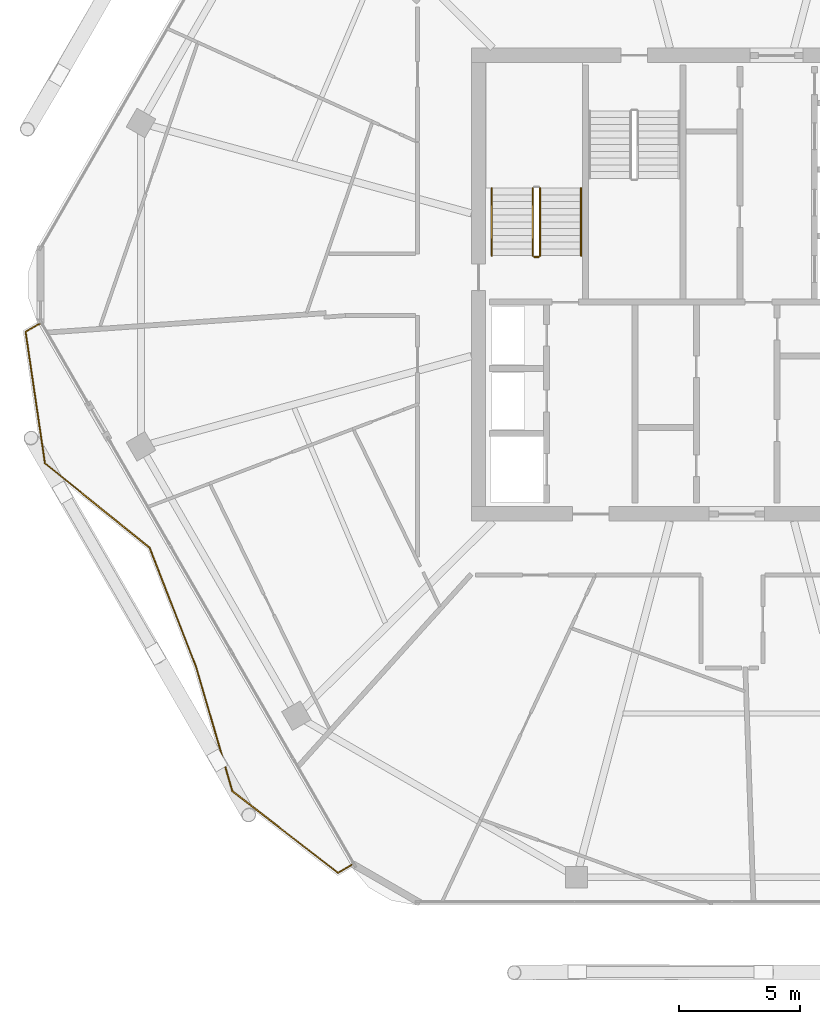
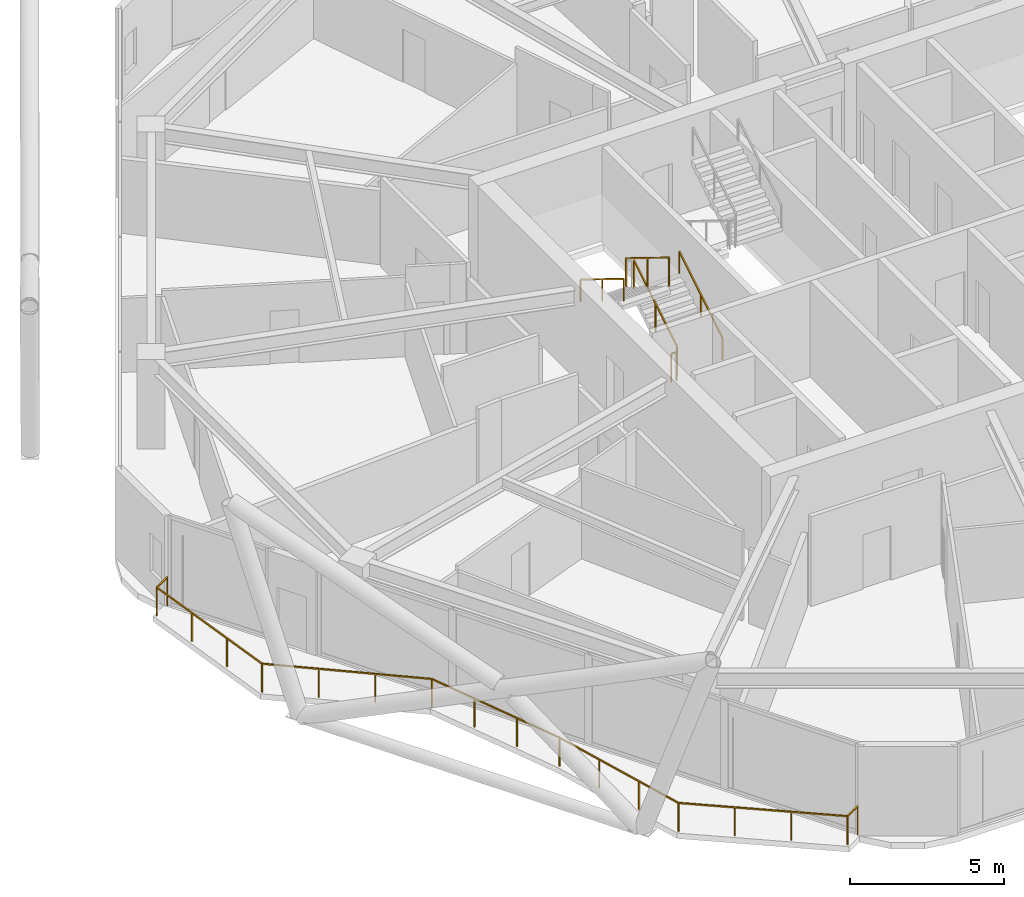
# One storey, part 25 of 27: 6 railings.
"""IFC4 building model written with IfcOpenShell, lengths in metres."""

from ifc_helpers import new_model, si_unit, direction, frame, origin, origin_2d, place, context, subcontext, project, spatial, rectangle, extrude, material, type_object, element, save


model = new_model("IFC4")

# Units and contexts
model_context = context("Model", 3, precision=1e-05, world=origin(), true_north=direction((0.0, 1.0)))
body_context = subcontext(model_context, "Body", "Model", "MODEL_VIEW")
ifc_project = project(units=[si_unit("LENGTHUNIT", "METRE"), si_unit("AREAUNIT", "SQUARE_METRE"), si_unit("VOLUMEUNIT", "CUBIC_METRE"), si_unit("PLANEANGLEUNIT", "RADIAN"), si_unit("MASSUNIT", "GRAM", prefix="KILO")], contexts=[model_context])

# Site, building, storey
site_placement = place(None, origin())
site = spatial("IfcSite", under=ifc_project, at=site_placement, CompositionType="ELEMENT")
building_placement = place(site_placement, origin())
building = spatial("IfcBuilding", under=site, at=building_placement, Name="Zuhravey Tower", CompositionType="ELEMENT")
storey_placement = place(building_placement, frame((0.0, 0.0, 238.800048828125)))
storey = spatial("IfcBuildingStorey", under=building, at=storey_placement, Name="L60", CompositionType="ELEMENT", Elevation=238.800048828125)

# Railings
ifc_material_1 = material(Name="Stainless steel 316 and laminated glass", Category="steel")
railing_type_1 = type_object("IfcRailingType", Name="Balcony & Terrace Guardrail 1150", PredefinedType="BALUSTRADE", material=ifc_material_1)
railing_1_placement = place(storey_placement, frame((20.25830078125, 7.968017578125, 0.0)))
element("IfcRailing", 1, at=railing_1_placement, inside=storey, type_object=railing_type_1, Name="L60 Face 4 Wave Balcony Guardrail GR1", PredefinedType="BALUSTRADE", context=body_context, shape_type="SweptSolid", body=[
    extrude(rectangle(XDim=0.048095703125, YDim=0.048095703125, at=origin_2d()), frame((-0.001708984375, -0.0009765625, 1.1259765625), z_axis=(-0.865955892764, -0.500120377296, 0.0), x_axis=(0.500120377296, -0.865955892764, 0.0)), (0.0, 0.0, 1.0), 0.668701171875),
    extrude(rectangle(XDim=0.048095703125, YDim=0.048095703125, at=origin_2d()), frame((-0.583984375, -0.335205078125, 1.1259765625), z_axis=(-0.79049778683, 0.61246489615, 0.0), x_axis=(-0.61246489615, -0.79049778683, 0.0)), (0.0, 0.0, 1.0), 5.531982421875),
    extrude(rectangle(XDim=0.048095703125, YDim=0.048095703125, at=origin_2d()), frame((-4.959228515625, 3.05615234375, 1.1259765625), z_axis=(-0.280257980797, 0.959924717985, 0.0), x_axis=(-0.959924717985, -0.280257980797, 0.0)), (0.0, 0.0, 1.0), 5.337646484375),
    extrude(rectangle(XDim=0.048095703125, YDim=0.048095703125, at=origin_2d()), frame((-6.45654296875, 8.183837890625, 1.1259765625), z_axis=(-0.362652638485, 0.931924387383, 0.0), x_axis=(-0.931924387383, -0.362652638485, 0.0)), (0.0, 0.0, 1.0), 5.304931640625),
    extrude(rectangle(XDim=0.048095703125, YDim=0.048095703125, at=origin_2d()), frame((-8.382568359375, 13.130615234375, 1.1259765625), z_axis=(-0.778090083229, 0.628152706259, 0.0), x_axis=(-0.628152706259, -0.778090083229, 0.0)), (0.0, 0.0, 1.0), 5.574462890625),
    extrude(rectangle(XDim=0.048095703125, YDim=0.048095703125, at=origin_2d()), frame((-12.721923828125, 16.635498046875, 1.1259765625), z_axis=(-0.145654875752, 0.989335462404, 0.0), x_axis=(-0.989335462404, -0.145654875752, 0.0)), (0.0, 0.0, 1.0), 5.50048828125),
    extrude(rectangle(XDim=0.048095703125, YDim=0.048095703125, at=origin_2d()), frame((-13.521728515625, 22.080322265625, 1.1259765625), z_axis=(0.866088799389, 0.499890179513, 0.0), x_axis=(-0.499890179513, 0.866088799389, 0.0)), (0.0, 0.0, 1.0), 0.66796875),
    extrude(rectangle(XDim=0.0419921875, YDim=0.0419921875, at=origin_2d()), origin(), (0.0, 0.0, 1.0), 1.099853515625),
    extrude(rectangle(XDim=0.0419921875, YDim=0.0419921875, at=origin_2d()), frame((-0.58251953125, -0.33642578125, 0.0)), (0.0, 0.0, 1.0), 1.099853515625),
    extrude(rectangle(XDim=0.0419921875, YDim=0.0419921875, at=origin_2d()), frame((-2.041259765625, 0.793701171875, 0.0)), (0.0, 0.0, 1.0), 1.099853515625),
    extrude(rectangle(XDim=0.0419921875, YDim=0.0419921875, at=origin_2d()), frame((-3.5, 1.924072265625, 0.0)), (0.0, 0.0, 1.0), 1.099853515625),
    extrude(rectangle(XDim=0.0419921875, YDim=0.0419921875, at=origin_2d()), frame((-4.958740234375, 3.05419921875, 0.0)), (0.0, 0.0, 1.0), 1.099853515625),
    extrude(rectangle(XDim=0.0419921875, YDim=0.0419921875, at=origin_2d()), frame((-5.457763671875, 4.763427734375, 0.0)), (0.0, 0.0, 1.0), 1.099853515625),
    extrude(rectangle(XDim=0.0419921875, YDim=0.0419921875, at=origin_2d()), frame((-5.956787109375, 6.47265625, 0.0)), (0.0, 0.0, 1.0), 1.099853515625),
    extrude(rectangle(XDim=0.0419921875, YDim=0.0419921875, at=origin_2d()), frame((-6.455810546875, 8.181884765625, 0.0)), (0.0, 0.0, 1.0), 1.099853515625),
    extrude(rectangle(XDim=0.0419921875, YDim=0.0419921875, at=origin_2d()), frame((-7.09765625, 9.8310546875, 0.0)), (0.0, 0.0, 1.0), 1.099853515625),
    extrude(rectangle(XDim=0.0419921875, YDim=0.0419921875, at=origin_2d()), frame((-7.7392578125, 11.480224609375, 0.0)), (0.0, 0.0, 1.0), 1.099853515625),
    extrude(rectangle(XDim=0.0419921875, YDim=0.0419921875, at=origin_2d()), frame((-8.381103515625, 13.12939453125, 0.0)), (0.0, 0.0, 1.0), 1.099853515625),
    extrude(rectangle(XDim=0.0419921875, YDim=0.0419921875, at=origin_2d()), frame((-9.827880859375, 14.29736328125, 0.0)), (0.0, 0.0, 1.0), 1.099853515625),
    extrude(rectangle(XDim=0.0419921875, YDim=0.0419921875, at=origin_2d()), frame((-11.27490234375, 15.465576171875, 0.0)), (0.0, 0.0, 1.0), 1.099853515625),
    extrude(rectangle(XDim=0.0419921875, YDim=0.0419921875, at=origin_2d()), frame((-12.7216796875, 16.633544921875, 0.0)), (0.0, 0.0, 1.0), 1.099853515625),
    extrude(rectangle(XDim=0.0419921875, YDim=0.0419921875, at=origin_2d()), frame((-12.989013671875, 18.44873046875, 0.0)), (0.0, 0.0, 1.0), 1.099853515625),
    extrude(rectangle(XDim=0.0419921875, YDim=0.0419921875, at=origin_2d()), frame((-13.256103515625, 20.26416015625, 0.0)), (0.0, 0.0, 1.0), 1.099853515625),
    extrude(rectangle(XDim=0.0419921875, YDim=0.0419921875, at=origin_2d()), frame((-13.5234375, 22.079345703125, 0.0)), (0.0, 0.0, 1.0), 1.099853515625),
    extrude(rectangle(XDim=0.0419921875, YDim=0.0419921875, at=origin_2d()), frame((-12.94140625, 22.415283203125, 0.0)), (0.0, 0.0, 1.0), 1.099853515625),
])
ifc_material_2 = material(Name="Brushed stainless steel", Category="steel")
railing_type_2 = type_object("IfcRailingType", Name="Stair Wall Handrail 900", PredefinedType="HANDRAIL", material=ifc_material_2)
railing_2_placement = place(storey_placement, frame((29.75, 33.199951171875, 0.172607421875)))
element("IfcRailing", 2, at=railing_2_placement, inside=storey, type_object=railing_type_2, Name="L60 ST1 stair handrail 1", PredefinedType="HANDRAIL", context=body_context, shape_type="SweptSolid", body=[
    extrude(rectangle(XDim=0.048095703125, YDim=0.048095703125, at=origin_2d()), frame((0.0, 0.001708984375, 0.876953125), z_axis=(0.0, 0.851089632645, 0.525020415988), x_axis=(-1.0, 0.0, 0.0)), (0.0, 0.0, 1.0), 3.285888671875),
    extrude(rectangle(XDim=0.0419921875, YDim=0.0419921875, at=origin_2d()), origin(), (0.0, 0.0, 1.0), 0.849853515625),
    extrude(rectangle(XDim=0.0419921875, YDim=0.0419921875, at=origin_2d()), frame((0.0, 1.39990234375, 0.86376953125)), (0.0, 0.0, 1.0), 0.849853515625),
    extrude(rectangle(XDim=0.0419921875, YDim=0.0419921875, at=origin_2d()), frame((0.0, 2.800048828125, 1.727294921875)), (0.0, 0.0, 1.0), 0.849853515625),
])
railing_3_placement = place(storey_placement, frame((26.050048828125, 36.0, 2.07275390625)))
element("IfcRailing", 3, at=railing_3_placement, inside=storey, type_object=railing_type_2, Name="L60 ST1 stair handrail 2", PredefinedType="HANDRAIL", context=body_context, shape_type="SweptSolid", body=[
    extrude(rectangle(XDim=0.048095703125, YDim=0.048095703125, at=origin_2d()), frame((0.0, -0.001708984375, 0.876953125), z_axis=(0.0, -0.851089632645, 0.525020415988), x_axis=(1.0, 0.0, 0.0)), (0.0, 0.0, 1.0), 3.285888671875),
    extrude(rectangle(XDim=0.0419921875, YDim=0.0419921875, at=origin_2d()), origin(), (0.0, 0.0, 1.0), 0.849853515625),
    extrude(rectangle(XDim=0.0419921875, YDim=0.0419921875, at=origin_2d()), frame((0.0, -1.39990234375, 0.86376953125)), (0.0, 0.0, 1.0), 0.849853515625),
    extrude(rectangle(XDim=0.0419921875, YDim=0.0419921875, at=origin_2d()), frame((0.0, -2.800048828125, 1.727294921875)), (0.0, 0.0, 1.0), 0.849853515625),
])
ifc_material_3 = material(Name="Painted tubular steel", Category="steel")
railing_type_3 = type_object("IfcRailingType", Name="Stair Well Guardrail 1150", PredefinedType="GUARDRAIL", material=ifc_material_3)
railing_4_placement = place(storey_placement, frame((28.050048828125, 33.199951171875, 0.172607421875)))
element("IfcRailing", 4, at=railing_4_placement, inside=storey, type_object=railing_type_3, Name="L60 ST1 stair guard 1", PredefinedType="GUARDRAIL", context=body_context, shape_type="SweptSolid", body=[
    extrude(rectangle(XDim=0.048095703125, YDim=0.048095703125, at=origin_2d()), frame((0.0, 0.001708984375, 1.126953125), z_axis=(0.0, 0.851089632645, 0.525020415988), x_axis=(-1.0, 0.0, 0.0)), (0.0, 0.0, 1.0), 3.285888671875),
    extrude(rectangle(XDim=0.0419921875, YDim=0.0419921875, at=origin_2d()), origin(), (0.0, 0.0, 1.0), 1.099853515625),
    extrude(rectangle(XDim=0.0419921875, YDim=0.0419921875, at=origin_2d()), frame((0.0, 1.39990234375, 0.86376953125)), (0.0, 0.0, 1.0), 1.099853515625),
    extrude(rectangle(XDim=0.0419921875, YDim=0.0419921875, at=origin_2d()), frame((0.0, 2.800048828125, 1.727294921875)), (0.0, 0.0, 1.0), 1.099853515625),
])
railing_5_placement = place(storey_placement, frame((27.75, 36.0, 2.07275390625)))
element("IfcRailing", 5, at=railing_5_placement, inside=storey, type_object=railing_type_3, Name="L60 ST1 stair guard 3", PredefinedType="GUARDRAIL", context=body_context, shape_type="SweptSolid", body=[
    extrude(rectangle(XDim=0.048095703125, YDim=0.048095703125, at=origin_2d()), frame((0.0, -0.001708984375, 1.126953125), z_axis=(0.0, -0.851089632645, 0.525020415988), x_axis=(1.0, 0.0, 0.0)), (0.0, 0.0, 1.0), 3.285888671875),
    extrude(rectangle(XDim=0.0419921875, YDim=0.0419921875, at=origin_2d()), origin(), (0.0, 0.0, 1.0), 1.099853515625),
    extrude(rectangle(XDim=0.0419921875, YDim=0.0419921875, at=origin_2d()), frame((0.0, -1.39990234375, 0.86376953125)), (0.0, 0.0, 1.0), 1.099853515625),
    extrude(rectangle(XDim=0.0419921875, YDim=0.0419921875, at=origin_2d()), frame((0.0, -2.800048828125, 1.727294921875)), (0.0, 0.0, 1.0), 1.099853515625),
])
railing_6_placement = place(storey_placement, frame((28.0, 33.14990234375, 0.0)))
element("IfcRailing", 6, at=railing_6_placement, inside=storey, type_object=railing_type_3, Name="L60 ST1 stair guard 4", PredefinedType="GUARDRAIL", context=body_context, shape_type="SweptSolid", body=[
    extrude(rectangle(XDim=0.048095703125, YDim=0.048095703125, at=origin_2d()), frame((-0.001953125, 0.0, 1.1259765625), z_axis=(-1.0, 0.0, 0.0), x_axis=(0.0, -1.0, 0.0)), (0.0, 0.0, 1.0), 0.196044921875),
    extrude(rectangle(XDim=0.0419921875, YDim=0.0419921875, at=origin_2d()), origin(), (0.0, 0.0, 1.0), 1.099853515625),
    extrude(rectangle(XDim=0.0419921875, YDim=0.0419921875, at=origin_2d()), frame((-0.199951171875, 0.0, 0.0)), (0.0, 0.0, 1.0), 1.099853515625),
])

save(model, "model.ifc")
